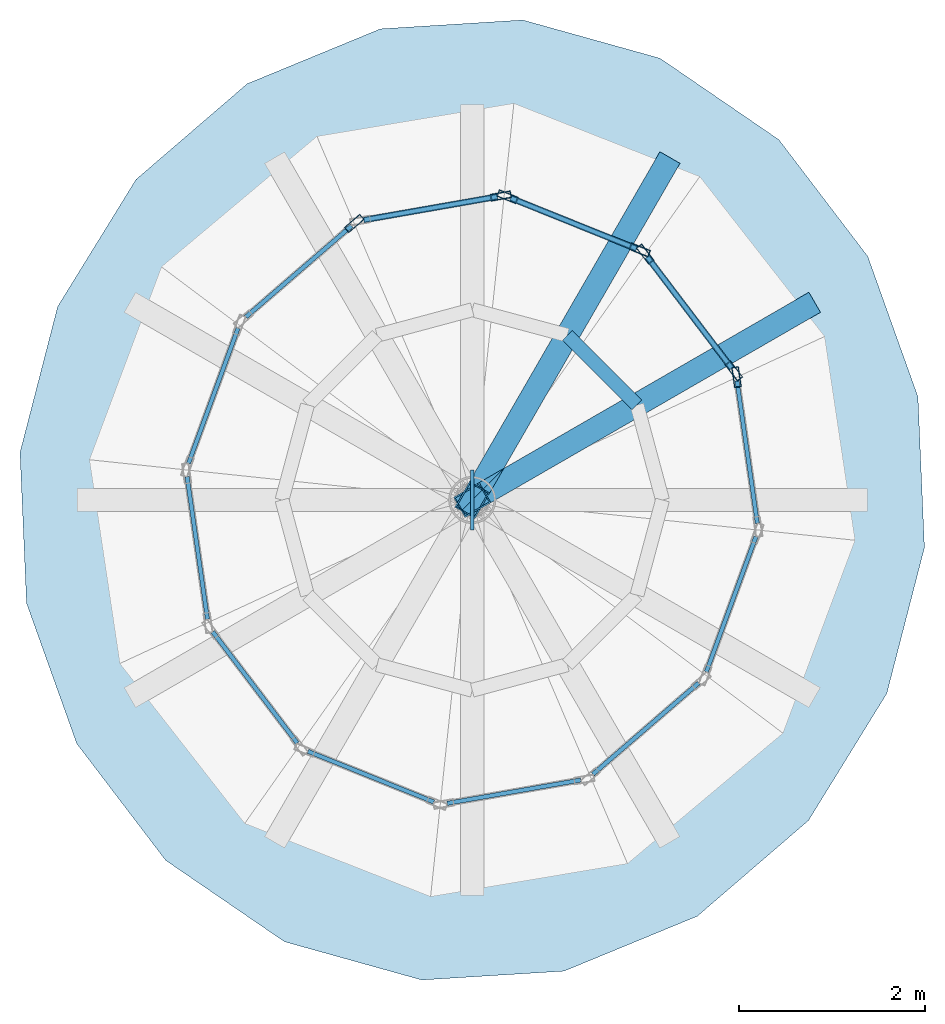
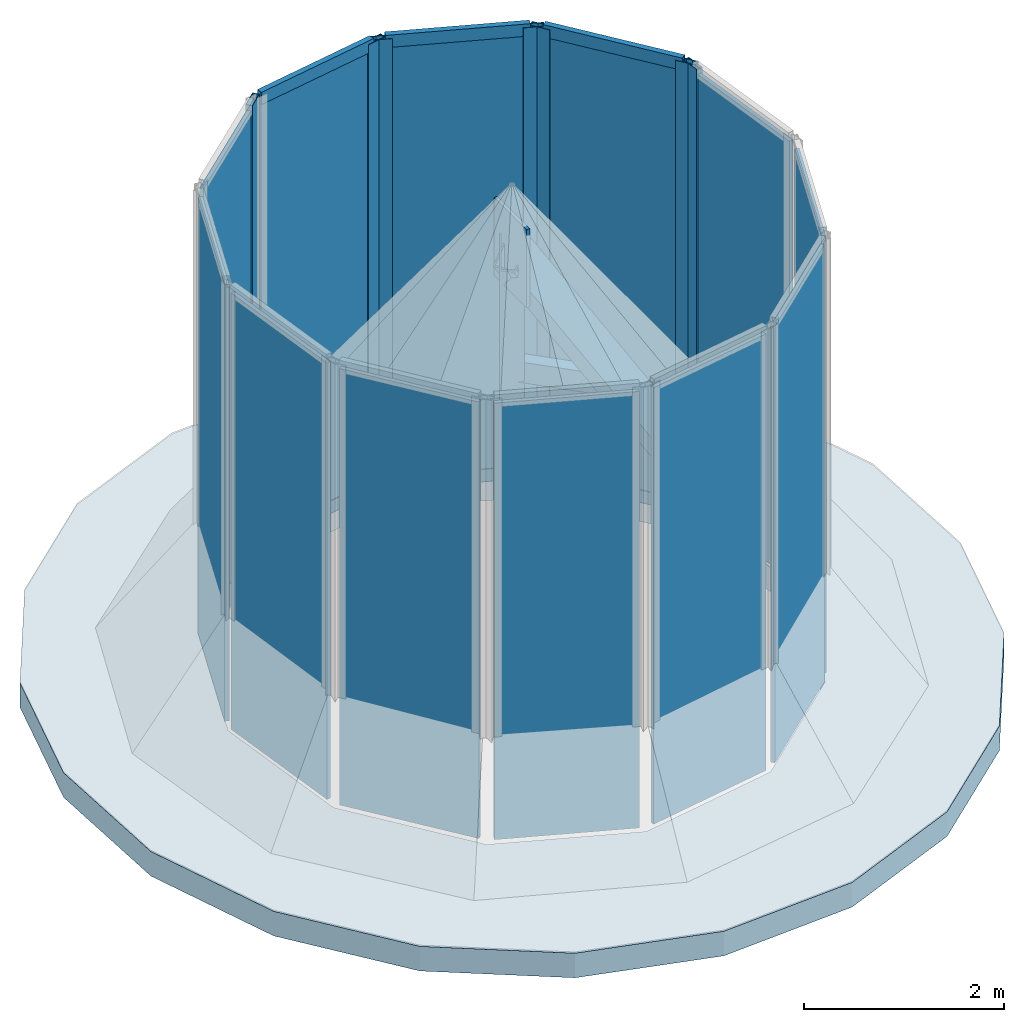
# One storey, part 2 of 3: 16 members, 13 plates, 1 slab, 12 elements without a shape of their own.
"""IFC4 building model written with IfcOpenShell, lengths in metres."""

from ifc_helpers import new_model, si_unit, direction, frame, origin, origin_2d, place, context, subcontext, project, spatial, polyline, rectangle, hollow_rectangle, outline, extrude, source, transform, mapped, material, layer, layer_set, material_profile, profile_set, type_object, element, aggregate, save


model = new_model("IFC4")

# Units and contexts
model_context = context("Model", 3, precision=1e-05, world=origin(), true_north=direction((0.0, 1.0)))
body_context = subcontext(model_context, "Body", "Model", "MODEL_VIEW")
ifc_project = project(units=[si_unit("LENGTHUNIT", "METRE"), si_unit("AREAUNIT", "SQUARE_METRE"), si_unit("VOLUMEUNIT", "CUBIC_METRE"), si_unit("PLANEANGLEUNIT", "RADIAN"), si_unit("MASSUNIT", "GRAM", prefix="KILO")], contexts=[model_context])

# Site, building, storey
site_placement = place(None, origin())
site = spatial("IfcSite", under=ifc_project, at=site_placement, CompositionType="ELEMENT")
building_placement = place(site_placement, origin())
building = spatial("IfcBuilding", under=site, at=building_placement, Name="Solvirekh Grand Hotel", CompositionType="ELEMENT")
storey_placement = place(building_placement, frame((0.0, 0.0, 340.199951171875)))
storey = spatial("IfcBuildingStorey", under=building, at=storey_placement, Name="RF", CompositionType="ELEMENT", Elevation=340.199951171875)

# Members
ifc_material_1 = material(Name="Steel S355", Category="steel")
ifc_material_profile_1 = material_profile(ifc_material_1, hollow_rectangle(XDim=0.14990234375, YDim=0.25, WallThickness=0.010009765625, at=origin_2d()), Name="RHS 250X150X10")
ifc_profile_set_1 = profile_set([ifc_material_profile_1], Name="Steel S355")
member_type_1 = type_object("IfcMemberType", Name="Purlin_Crown_RHS250", PredefinedType="PURLIN", material=ifc_profile_set_1)
member_1_placement = place(storey_placement, frame((1.77490234375, 1.02490234375, 2.1201171875), z_axis=(-0.707106781187, 0.707106781187, 0.0), x_axis=(-0.707106781187, -0.707106781187, 0.0)))
element("IfcMember", 1, at=member_1_placement, inside=storey, type_object=member_type_1, Name="Crown pointed lantern purlin 2", PredefinedType="PURLIN", context=body_context, shape_type="SweptSolid", body=[
    extrude(hollow_rectangle(XDim=0.14990234375, YDim=0.25, WallThickness=0.010009765625, at=origin_2d()), origin(), (0.0, 0.0, 1.0), 1.060546875),
])
ifc_material_profile_2 = material_profile(ifc_material_1, hollow_rectangle(XDim=0.25, YDim=0.39990234375, WallThickness=0.01611328125, at=origin_2d()), Name="RHS 400X250X16")
ifc_profile_set_2 = profile_set([ifc_material_profile_2], Name="Steel S355")
member_type_2 = type_object("IfcMemberType", Name="Rafter_Crown_RHS400", PredefinedType="RAFTER", material=ifc_profile_set_2)
for number, where, z_axis, x_axis, name in (
    (2, (3.551025390625, 2.050048828125, -0.550048828125), (-0.517626337987, -0.298831788248, 0.801724726171), (0.499975007054, -0.866039832988, 0.0), "Crown pointed finial rafter 2"),
    (3, (2.050048828125, 3.551025390625, -0.550048828125), (-0.298831788248, -0.517626337987, 0.801724726171), (0.866039832988, -0.499975007054, 0.0), "Crown pointed finial rafter 3"),
):
    element("IfcMember", number, at=place(storey_placement, frame(where, z_axis=z_axis, x_axis=x_axis)), inside=storey, type_object=member_type_2, Name=name, PredefinedType="RAFTER", context=body_context, shape_type="SweptSolid", body=[
        extrude(hollow_rectangle(XDim=0.25, YDim=0.39990234375, WallThickness=0.01611328125, at=origin_2d()), origin(), (0.0, 0.0, 1.0), 6.860107421875),
    ])

# Curtain wall, member
ifc_material_2 = material(Name="Anodized Bronze Aluminium 6063-T6", Category="aluminium")
ifc_layer_1 = layer(ifc_material_2, 0.219970703125)
ifc_layer_set_1 = layer_set([ifc_layer_1], Name="Anodized Bronze Aluminium 6063-T6")
curtain_wall_type = type_object("IfcCurtainWallType", Name="CW_Sys6_CrownFacetedPointCW", PredefinedType="NOTDEFINED", material=ifc_layer_set_1)
curtain_wall_1_placement = place(storey_placement, origin())
curtain_wall_1 = element("IfcCurtainWall", 4, at=curtain_wall_1_placement, inside=storey, type_object=curtain_wall_type, Name="RF unitised bronze-glass curtain wall CW-RF-CONE-04", PredefinedType="NOTDEFINED")
ifc_material_profile_3 = material_profile(ifc_material_2, hollow_rectangle(XDim=0.074951171875, YDim=0.219970703125, WallThickness=0.006103515625, at=origin_2d()), Name="ALU RHS 220X75X6")
ifc_profile_set_3 = profile_set([ifc_material_profile_3], Name="Anodized Bronze Aluminium 6063-T6")
member_type_3 = type_object("IfcMemberType", Name="CWMullion_Sys6", PredefinedType="MULLION", material=ifc_profile_set_3)
shared_shape_1 = source(origin(), body_context, "Body", "SweptSolid", [
    extrude(hollow_rectangle(XDim=0.074951171875, YDim=0.219970703125, WallThickness=0.006103515625, at=origin_2d()), origin(), (0.0, 0.0, 1.0), 5.449951171875),
])
member_2_placement = place(storey_placement, frame((2.847412109375, 1.322998046875, 0.0), z_axis=(0.0, 0.0, 1.0), x_axis=(-0.989914192772, -0.141668242552, 0.0)))
member_2 = element("IfcMember", 5, at=member_2_placement, type_object=member_type_3, Name="U06 mullion 2", PredefinedType="MULLION", context=body_context, shape_type="MappedRepresentation", body=[
    mapped(shared_shape_1, transform((0.0, 0.0, 0.0), x_axis=(1.0, 0.0, 0.0), y_axis=(0.0, 1.0, 0.0), z_axis=(0.0, 0.0, 1.0), scale=1.0)),
])

# Curtain wall, members
curtain_wall_2_placement = place(storey_placement, origin())
curtain_wall_2 = element("IfcCurtainWall", 6, at=curtain_wall_2_placement, inside=storey, type_object=curtain_wall_type, Name="RF unitised bronze-glass curtain wall CW-RF-CONE-05", PredefinedType="NOTDEFINED")
member_3_placement = place(storey_placement, frame((2.8193359375, 1.389892578125, 0.0), z_axis=(0.0, 0.0, 1.0), x_axis=(-0.796510893346, -0.604624178132, 0.0)))
member_3 = element("IfcMember", 7, at=member_3_placement, type_object=member_type_3, Name="U06 mullion 1", PredefinedType="MULLION", context=body_context, shape_type="MappedRepresentation", body=[
    mapped(shared_shape_1, transform((0.0, 0.0, 0.0), x_axis=(1.0, 0.0, 0.0), y_axis=(0.0, 1.0, 0.0), z_axis=(0.0, 0.0, 1.0), scale=1.0)),
])
member_4_placement = place(storey_placement, frame((1.86279296875, 2.650146484375, 0.0), z_axis=(0.0, 0.0, 1.0), x_axis=(-0.796510893346, -0.604624178132, 0.0)))
member_4 = element("IfcMember", 8, at=member_4_placement, type_object=member_type_3, Name="U06 mullion 2", PredefinedType="MULLION", context=body_context, shape_type="MappedRepresentation", body=[
    mapped(shared_shape_1, transform((0.0, 0.0, 0.0), x_axis=(1.0, 0.0, 0.0), y_axis=(0.0, 1.0, 0.0), z_axis=(0.0, 0.0, 1.0), scale=1.0)),
])

curtain_wall_3_placement = place(storey_placement, origin())
curtain_wall_3 = element("IfcCurtainWall", 9, at=curtain_wall_3_placement, inside=storey, type_object=curtain_wall_type, Name="RF unitised bronze-glass curtain wall CW-RF-CONE-06", PredefinedType="NOTDEFINED")
member_5_placement = place(storey_placement, frame((1.80517578125, 2.694091796875, 0.0), z_axis=(0.0, 0.0, 1.0), x_axis=(-0.373529278287, -0.927618390429, 0.0)))
member_5 = element("IfcMember", 10, at=member_5_placement, type_object=member_type_3, Name="U06 mullion 1", PredefinedType="MULLION", context=body_context, shape_type="MappedRepresentation", body=[
    mapped(shared_shape_1, transform((0.0, 0.0, 0.0), x_axis=(1.0, 0.0, 0.0), y_axis=(0.0, 1.0, 0.0), z_axis=(0.0, 0.0, 1.0), scale=1.0)),
])
member_6_placement = place(storey_placement, frame((0.3798828125, 3.26806640625, 0.0), z_axis=(0.0, 0.0, 1.0), x_axis=(-0.373529278287, -0.927618390429, 0.0)))
member_6 = element("IfcMember", 11, at=member_6_placement, type_object=member_type_3, Name="U06 mullion 2", PredefinedType="MULLION", context=body_context, shape_type="MappedRepresentation", body=[
    mapped(shared_shape_1, transform((0.0, 0.0, 0.0), x_axis=(1.0, 0.0, 0.0), y_axis=(0.0, 1.0, 0.0), z_axis=(0.0, 0.0, 1.0), scale=1.0)),
])

# Curtain wall, member
curtain_wall_4_placement = place(storey_placement, origin())
curtain_wall_4 = element("IfcCurtainWall", 12, at=curtain_wall_4_placement, inside=storey, type_object=curtain_wall_type, Name="RF unitised bronze-glass curtain wall CW-RF-CONE-07", PredefinedType="NOTDEFINED")
member_7_placement = place(storey_placement, frame((0.30810546875, 3.275634765625, 0.0), z_axis=(0.0, 0.0, 1.0), x_axis=(0.172440517208, -0.985019932806, 0.0)))
member_7 = element("IfcMember", 13, at=member_7_placement, type_object=member_type_3, Name="U06 mullion 1", PredefinedType="MULLION", context=body_context, shape_type="MappedRepresentation", body=[
    mapped(shared_shape_1, transform((0.0, 0.0, 0.0), x_axis=(1.0, 0.0, 0.0), y_axis=(0.0, 1.0, 0.0), z_axis=(0.0, 0.0, 1.0), scale=1.0)),
])

curtain_wall_5_placement = place(storey_placement, origin())
curtain_wall_5 = element("IfcCurtainWall", 14, at=curtain_wall_5_placement, inside=storey, type_object=curtain_wall_type, Name="RF unitised bronze-glass curtain wall CW-RF-CONE-08", PredefinedType="NOTDEFINED")
member_8_placement = place(storey_placement, frame((-1.271484375, 2.9794921875, 0.0), z_axis=(0.0, 0.0, 1.0), x_axis=(0.653273976822, -0.757121596051, 0.0)))
member_8 = element("IfcMember", 15, at=member_8_placement, type_object=member_type_3, Name="U06 mullion 1", PredefinedType="MULLION", context=body_context, shape_type="MappedRepresentation", body=[
    mapped(shared_shape_1, transform((0.0, 0.0, 0.0), x_axis=(1.0, 0.0, 0.0), y_axis=(0.0, 1.0, 0.0), z_axis=(0.0, 0.0, 1.0), scale=1.0)),
])

# Member
ifc_material_profile_4 = material_profile(ifc_material_2, hollow_rectangle(XDim=0.06494140625, YDim=0.14990234375, WallThickness=0.0048828125, at=origin_2d()), Name="ALU RHS 150X65X5")
ifc_profile_set_4 = profile_set([ifc_material_profile_4], Name="Anodized Bronze Aluminium 6063-T6")
member_type_4 = type_object("IfcMemberType", Name="CWTransom_Sys6", PredefinedType="USERDEFINED", material=ifc_profile_set_4)
shared_shape_2 = source(origin(), body_context, "Body", "SweptSolid", [
    extrude(hollow_rectangle(XDim=0.06494140625, YDim=0.14990234375, WallThickness=0.0048828125, at=origin_2d()), origin(), (0.0, 0.0, 1.0), 1.46240234375),
])
member_9_placement = place(storey_placement, frame((0.271240234375, 3.26904296875, 0.032470703125), z_axis=(-0.985016289618, -0.17246132664, 0.0), x_axis=(0.17246132664, -0.985016289618, 0.0)))
member_9 = element("IfcMember", 16, at=member_9_placement, type_object=member_type_4, Name="U06 transom 1.1", ObjectType="TRANSOM", PredefinedType="USERDEFINED", context=body_context, shape_type="MappedRepresentation", body=[
    mapped(shared_shape_2, transform((0.0, 0.0, 0.0), x_axis=(1.0, 0.0, 0.0), y_axis=(0.0, 1.0, 0.0), z_axis=(0.0, 0.0, 1.0), scale=1.0)),
])

member_10_placement = place(storey_placement, frame((0.271240234375, 3.26904296875, 5.41748046875), z_axis=(-0.985016289618, -0.17246132664, 0.0), x_axis=(0.17246132664, -0.985016289618, 0.0)))
member_10 = element("IfcMember", 17, at=member_10_placement, type_object=member_type_4, Name="U06 transom 1.2", ObjectType="TRANSOM", PredefinedType="USERDEFINED", context=body_context, shape_type="MappedRepresentation", body=[
    mapped(shared_shape_2, transform((0.0, 0.0, 0.0), x_axis=(1.0, 0.0, 0.0), y_axis=(0.0, 1.0, 0.0), z_axis=(0.0, 0.0, 1.0), scale=1.0)),
])

shared_shape_3 = source(origin(), body_context, "Body", "SweptSolid", [
    extrude(hollow_rectangle(XDim=0.06494140625, YDim=0.14990234375, WallThickness=0.0048828125, at=origin_2d()), origin(), (0.0, 0.0, 1.0), 1.50732421875),
])
member_11_placement = place(storey_placement, frame((2.796630859375, 1.419677734375, 0.032470703125), z_axis=(-0.604602693143, 0.796527201949, 0.0), x_axis=(-0.796527201949, -0.604602693143, 0.0)))
member_11 = element("IfcMember", 18, at=member_11_placement, type_object=member_type_4, Name="U06 transom 1.1", ObjectType="TRANSOM", PredefinedType="USERDEFINED", context=body_context, shape_type="MappedRepresentation", body=[
    mapped(shared_shape_3, transform((0.0, 0.0, 0.0), x_axis=(1.0, 0.0, 0.0), y_axis=(0.0, 1.0, 0.0), z_axis=(0.0, 0.0, 1.0), scale=1.0)),
])

member_12_placement = place(storey_placement, frame((2.796630859375, 1.419677734375, 5.41748046875), z_axis=(-0.604602693143, 0.796527201949, 0.0), x_axis=(-0.796527201949, -0.604602693143, 0.0)))
member_12 = element("IfcMember", 19, at=member_12_placement, type_object=member_type_4, Name="U06 transom 1.2", ObjectType="TRANSOM", PredefinedType="USERDEFINED", context=body_context, shape_type="MappedRepresentation", body=[
    mapped(shared_shape_3, transform((0.0, 0.0, 0.0), x_axis=(1.0, 0.0, 0.0), y_axis=(0.0, 1.0, 0.0), z_axis=(0.0, 0.0, 1.0), scale=1.0)),
])

shared_shape_4 = source(origin(), body_context, "Body", "SweptSolid", [
    extrude(hollow_rectangle(XDim=0.06494140625, YDim=0.14990234375, WallThickness=0.0048828125, at=origin_2d()), origin(), (0.0, 0.0, 1.0), 1.461669921875),
])
member_13_placement = place(storey_placement, frame((1.7705078125, 2.7080078125, 0.032470703125), z_axis=(-0.927645020893, 0.373463137688, 0.0), x_axis=(-0.373463137688, -0.927645020893, 0.0)))
member_13 = element("IfcMember", 20, at=member_13_placement, type_object=member_type_4, Name="U06 transom 1.1", ObjectType="TRANSOM", PredefinedType="USERDEFINED", context=body_context, shape_type="MappedRepresentation", body=[
    mapped(shared_shape_4, transform((0.0, 0.0, 0.0), x_axis=(1.0, 0.0, 0.0), y_axis=(0.0, 1.0, 0.0), z_axis=(0.0, 0.0, 1.0), scale=1.0)),
])

member_14_placement = place(storey_placement, frame((1.7705078125, 2.7080078125, 5.41748046875), z_axis=(-0.927645020893, 0.373463137688, 0.0), x_axis=(-0.373463137688, -0.927645020893, 0.0)))
member_14 = element("IfcMember", 21, at=member_14_placement, type_object=member_type_4, Name="U06 transom 1.2", ObjectType="TRANSOM", PredefinedType="USERDEFINED", context=body_context, shape_type="MappedRepresentation", body=[
    mapped(shared_shape_4, transform((0.0, 0.0, 0.0), x_axis=(1.0, 0.0, 0.0), y_axis=(0.0, 1.0, 0.0), z_axis=(0.0, 0.0, 1.0), scale=1.0)),
])

# Plate
ifc_layer_2 = layer(ifc_material_1, 0.0400390625)
ifc_layer_set_2 = layer_set([ifc_layer_2], Name="Steel S355")
plate_type_1 = type_object("IfcPlateType", Name="NodeCapPlate_40", PredefinedType="SHEET", material=ifc_layer_set_2)
plate_1_placement = place(storey_placement, frame((0.0, 0.0, 4.47509765625), z_axis=(0.0, 0.0, 1.0), x_axis=(1.0, 0.0, 0.0)))
element("IfcPlate", 22, at=plate_1_placement, inside=storey, type_object=plate_type_1, Name="RF hollow-section node plate PL-RF-APEX-CAP", PredefinedType="SHEET", context=body_context, shape_type="SweptSolid", body=[
    extrude(rectangle(XDim=0.0400390625, YDim=0.64990234375, at=origin_2d()), origin(), (0.0, 0.0, 1.0), 0.949951171875),
])

# Slab
ifc_material_3 = material(Name="Concrete C50/60", Category="concrete")
ifc_layer_3 = layer(ifc_material_3, 0.300048828125)
ifc_layer_set_3 = layer_set([ifc_layer_3], Name="Concrete C50/60")
slab_type = type_object("IfcSlabType", Name="RoofSlab_Apex_300", PredefinedType="ROOF", material=ifc_layer_set_3)
slab_placement = place(storey_placement, frame((0.0, 0.0, -0.300048828125)))
element("IfcSlab", 23, at=slab_placement, inside=storey, type_object=slab_type, Name="RF crown collar roof slab", PredefinedType="ROOF", context=body_context, shape_type="SweptSolid", body=[
    extrude(outline(polyline([(-0.5439453125, -5.172119140625), (0.989013671875, -5.076904296875), (2.425048828125, -4.485107421875), (3.623046875, -3.4541015625), (4.467041015625, -2.0849609375), (4.873046875, -0.511962890625), (4.802978515625, 1.111083984375), (4.261962890625, 2.625), (3.303955078125, 3.883056640625), (2.02294921875, 4.760009765625), (0.5439453125, 5.172119140625), (-0.989013671875, 5.076904296875), (-2.425048828125, 4.485107421875), (-3.623046875, 3.4541015625), (-4.467041015625, 2.0849609375), (-4.873046875, 0.511962890625), (-4.802978515625, -1.111083984375), (-4.261962890625, -2.625), (-3.303955078125, -3.883056640625), (-2.02294921875, -4.760009765625), (-0.5439453125, -5.172119140625)]), holes=[polyline([(-1.840087890625, -2.679931640625), (-2.842041015625, -1.360107421875), (-3.0830078125, 0.323974609375), (-2.4970703125, 1.922119140625), (-1.242919921875, 3.00390625), (0.344970703125, 3.281982421875), (1.840087890625, 2.679931640625), (2.842041015625, 1.360107421875), (3.0830078125, -0.323974609375), (2.4970703125, -1.922119140625), (1.242919921875, -3.00390625), (-0.344970703125, -3.281982421875), (-1.840087890625, -2.679931640625)])]), origin(), (0.0, 0.0, 1.0), 0.300048828125),
])

# Curtain wall, plate
curtain_wall_6_placement = place(storey_placement, origin())
curtain_wall_6 = element("IfcCurtainWall", 24, at=curtain_wall_6_placement, inside=storey, type_object=curtain_wall_type, Name="RF unitised bronze-glass curtain wall CW-RF-CONE-01", PredefinedType="NOTDEFINED")
ifc_material_4 = material(Name="Champagne Low-Iron Crown Laminated Glass", Category="glass")
ifc_layer_4 = layer(ifc_material_4, 0.0458984375)
ifc_layer_set_4 = layer_set([ifc_layer_4], Name="Champagne Low-Iron Crown Laminated Glass")
plate_type_2 = type_object("IfcPlateType", Name="CWPanel_Crown_46", PredefinedType="CURTAIN_PANEL", material=ifc_layer_set_4)
shared_shape_5 = source(origin(), body_context, "Body", "SweptSolid", [
    extrude(rectangle(XDim=1.462158203125, YDim=0.0458984375, at=origin_2d()), origin(), (0.0, 0.0, 1.0), 5.320068359375),
])
plate_2_placement = place(storey_placement, frame((0.448974609375, -3.14306640625, 0.06494140625), z_axis=(0.0, 0.0, 1.0), x_axis=(0.985019932806, 0.172440517208, 0.0)))
plate_2 = element("IfcPlate", 25, at=plate_2_placement, type_object=plate_type_2, Name="U06 panel 1.1", PredefinedType="CURTAIN_PANEL", context=body_context, shape_type="MappedRepresentation", body=[
    mapped(shared_shape_5, transform((0.0, 0.0, 0.0), x_axis=(1.0, 0.0, 0.0), y_axis=(0.0, 1.0, 0.0), z_axis=(0.0, 0.0, 1.0), scale=1.0)),
])
aggregate(curtain_wall_6, [plate_2])

# Plate
plate_3_placement = place(storey_placement, frame((-0.448974609375, 3.14306640625, 0.06494140625), z_axis=(0.0, 0.0, 1.0), x_axis=(-0.985019932806, -0.172440517208, 0.0)))
plate_3 = element("IfcPlate", 26, at=plate_3_placement, type_object=plate_type_2, Name="U06 panel 1.1", PredefinedType="CURTAIN_PANEL", context=body_context, shape_type="MappedRepresentation", body=[
    mapped(shared_shape_5, transform((0.0, 0.0, 0.0), x_axis=(1.0, 0.0, 0.0), y_axis=(0.0, 1.0, 0.0), z_axis=(0.0, 0.0, 1.0), scale=1.0)),
])

aggregate(curtain_wall_4, [member_7, member_9, member_10, plate_3])

# Curtain wall, plate
curtain_wall_7_placement = place(storey_placement, origin())
curtain_wall_7 = element("IfcCurtainWall", 27, at=curtain_wall_7_placement, inside=storey, type_object=curtain_wall_type, Name="RF unitised bronze-glass curtain wall CW-RF-CONE-02", PredefinedType="NOTDEFINED")
shared_shape_6 = source(origin(), body_context, "Body", "SweptSolid", [
    extrude(rectangle(XDim=1.50634765625, YDim=0.0458984375, at=origin_2d()), origin(), (0.0, 0.0, 1.0), 5.320068359375),
])
plate_4_placement = place(storey_placement, frame((1.8701171875, -2.462890625, 0.06494140625), z_axis=(0.0, 0.0, 1.0), x_axis=(0.757121596051, 0.653273976822, 0.0)))
plate_4 = element("IfcPlate", 28, at=plate_4_placement, type_object=plate_type_2, Name="U06 panel 1.1", PredefinedType="CURTAIN_PANEL", context=body_context, shape_type="MappedRepresentation", body=[
    mapped(shared_shape_6, transform((0.0, 0.0, 0.0), x_axis=(1.0, 0.0, 0.0), y_axis=(0.0, 1.0, 0.0), z_axis=(0.0, 0.0, 1.0), scale=1.0)),
])
aggregate(curtain_wall_7, [plate_4])

# Plate
plate_5_placement = place(storey_placement, frame((-1.8701171875, 2.462890625, 0.06494140625), z_axis=(0.0, 0.0, 1.0), x_axis=(-0.757121596051, -0.653273976822, 0.0)))
plate_5 = element("IfcPlate", 29, at=plate_5_placement, type_object=plate_type_2, Name="U06 panel 1.1", PredefinedType="CURTAIN_PANEL", context=body_context, shape_type="MappedRepresentation", body=[
    mapped(shared_shape_6, transform((0.0, 0.0, 0.0), x_axis=(1.0, 0.0, 0.0), y_axis=(0.0, 1.0, 0.0), z_axis=(0.0, 0.0, 1.0), scale=1.0)),
])

aggregate(curtain_wall_5, [member_8, plate_5])

# Curtain wall, plate
curtain_wall_8_placement = place(storey_placement, origin())
curtain_wall_8 = element("IfcCurtainWall", 30, at=curtain_wall_8_placement, inside=storey, type_object=curtain_wall_type, Name="RF unitised bronze-glass curtain wall CW-RF-CONE-03", PredefinedType="NOTDEFINED")
shared_shape_7 = source(origin(), body_context, "Body", "SweptSolid", [
    extrude(rectangle(XDim=1.552001953125, YDim=0.0458984375, at=origin_2d()), origin(), (0.0, 0.0, 1.0), 5.320068359375),
])
plate_6_placement = place(storey_placement, frame((2.7900390625, -1.123046875, 0.06494140625), z_axis=(0.0, 0.0, 1.0), x_axis=(0.344289175323, 0.938863655573, 0.0)))
plate_6 = element("IfcPlate", 31, at=plate_6_placement, type_object=plate_type_2, Name="U06 panel 1.1", PredefinedType="CURTAIN_PANEL", context=body_context, shape_type="MappedRepresentation", body=[
    mapped(shared_shape_7, transform((0.0, 0.0, 0.0), x_axis=(1.0, 0.0, 0.0), y_axis=(0.0, 1.0, 0.0), z_axis=(0.0, 0.0, 1.0), scale=1.0)),
])
aggregate(curtain_wall_8, [plate_6])

curtain_wall_9_placement = place(storey_placement, origin())
curtain_wall_9 = element("IfcCurtainWall", 32, at=curtain_wall_9_placement, inside=storey, type_object=curtain_wall_type, Name="RF unitised bronze-glass curtain wall CW-RF-CONE-09", PredefinedType="NOTDEFINED")
plate_7_placement = place(storey_placement, frame((-2.7900390625, 1.123046875, 0.06494140625), z_axis=(0.0, 0.0, 1.0), x_axis=(-0.344289175323, -0.938863655573, 0.0)))
plate_7 = element("IfcPlate", 33, at=plate_7_placement, type_object=plate_type_2, Name="U06 panel 1.1", PredefinedType="CURTAIN_PANEL", context=body_context, shape_type="MappedRepresentation", body=[
    mapped(shared_shape_7, transform((0.0, 0.0, 0.0), x_axis=(1.0, 0.0, 0.0), y_axis=(0.0, 1.0, 0.0), z_axis=(0.0, 0.0, 1.0), scale=1.0)),
])
aggregate(curtain_wall_9, [plate_7])

# Plate
shared_shape_8 = source(origin(), body_context, "Body", "SweptSolid", [
    extrude(rectangle(XDim=1.55126953125, YDim=0.0458984375, at=origin_2d()), origin(), (0.0, 0.0, 1.0), 5.320068359375),
])
plate_8_placement = place(storey_placement, frame((2.96240234375, 0.51806640625, 0.06494140625), z_axis=(0.0, 0.0, 1.0), x_axis=(-0.141668242552, 0.989914192772, 0.0)))
plate_8 = element("IfcPlate", 34, at=plate_8_placement, type_object=plate_type_2, Name="U06 panel 1.1", PredefinedType="CURTAIN_PANEL", context=body_context, shape_type="MappedRepresentation", body=[
    mapped(shared_shape_8, transform((0.0, 0.0, 0.0), x_axis=(1.0, 0.0, 0.0), y_axis=(0.0, 1.0, 0.0), z_axis=(0.0, 0.0, 1.0), scale=1.0)),
])

aggregate(curtain_wall_1, [member_2, plate_8])

# Curtain wall, plate
curtain_wall_10_placement = place(storey_placement, origin())
curtain_wall_10 = element("IfcCurtainWall", 35, at=curtain_wall_10_placement, inside=storey, type_object=curtain_wall_type, Name="RF unitised bronze-glass curtain wall CW-RF-CONE-10", PredefinedType="NOTDEFINED")
plate_9_placement = place(storey_placement, frame((-2.96240234375, -0.51806640625, 0.06494140625), z_axis=(0.0, 0.0, 1.0), x_axis=(0.141668242552, -0.989914192772, 0.0)))
plate_9 = element("IfcPlate", 36, at=plate_9_placement, type_object=plate_type_2, Name="U06 panel 1.1", PredefinedType="CURTAIN_PANEL", context=body_context, shape_type="MappedRepresentation", body=[
    mapped(shared_shape_8, transform((0.0, 0.0, 0.0), x_axis=(1.0, 0.0, 0.0), y_axis=(0.0, 1.0, 0.0), z_axis=(0.0, 0.0, 1.0), scale=1.0)),
])
aggregate(curtain_wall_10, [plate_9])

# Plate
shared_shape_9 = source(origin(), body_context, "Body", "SweptSolid", [
    extrude(rectangle(XDim=1.50732421875, YDim=0.0458984375, at=origin_2d()), origin(), (0.0, 0.0, 1.0), 5.320068359375),
])
plate_10_placement = place(storey_placement, frame((2.341064453125, 2.02001953125, 0.06494140625), z_axis=(0.0, 0.0, 1.0), x_axis=(-0.604624178132, 0.796510893346, 0.0)))
plate_10 = element("IfcPlate", 37, at=plate_10_placement, type_object=plate_type_2, Name="U06 panel 1.1", PredefinedType="CURTAIN_PANEL", context=body_context, shape_type="MappedRepresentation", body=[
    mapped(shared_shape_9, transform((0.0, 0.0, 0.0), x_axis=(1.0, 0.0, 0.0), y_axis=(0.0, 1.0, 0.0), z_axis=(0.0, 0.0, 1.0), scale=1.0)),
])

aggregate(curtain_wall_2, [member_3, member_4, member_11, member_12, plate_10])

# Curtain wall, plate
curtain_wall_11_placement = place(storey_placement, origin())
curtain_wall_11 = element("IfcCurtainWall", 38, at=curtain_wall_11_placement, inside=storey, type_object=curtain_wall_type, Name="RF unitised bronze-glass curtain wall CW-RF-CONE-11", PredefinedType="NOTDEFINED")
plate_11_placement = place(storey_placement, frame((-2.341064453125, -2.02001953125, 0.06494140625), z_axis=(0.0, 0.0, 1.0), x_axis=(0.604624178132, -0.796510893346, 0.0)))
plate_11 = element("IfcPlate", 39, at=plate_11_placement, type_object=plate_type_2, Name="U06 panel 1.1", PredefinedType="CURTAIN_PANEL", context=body_context, shape_type="MappedRepresentation", body=[
    mapped(shared_shape_9, transform((0.0, 0.0, 0.0), x_axis=(1.0, 0.0, 0.0), y_axis=(0.0, 1.0, 0.0), z_axis=(0.0, 0.0, 1.0), scale=1.0)),
])
aggregate(curtain_wall_11, [plate_11])

# Plate
shared_shape_10 = source(origin(), body_context, "Body", "SweptSolid", [
    extrude(rectangle(XDim=1.461669921875, YDim=0.0458984375, at=origin_2d()), origin(), (0.0, 0.0, 1.0), 5.320068359375),
])
plate_12_placement = place(storey_placement, frame((1.092529296875, 2.98095703125, 0.06494140625), z_axis=(0.0, 0.0, 1.0), x_axis=(-0.927618390429, 0.373529278287, 0.0)))
plate_12 = element("IfcPlate", 40, at=plate_12_placement, type_object=plate_type_2, Name="U06 panel 1.1", PredefinedType="CURTAIN_PANEL", context=body_context, shape_type="MappedRepresentation", body=[
    mapped(shared_shape_10, transform((0.0, 0.0, 0.0), x_axis=(1.0, 0.0, 0.0), y_axis=(0.0, 1.0, 0.0), z_axis=(0.0, 0.0, 1.0), scale=1.0)),
])

aggregate(curtain_wall_3, [member_5, member_6, member_13, member_14, plate_12])

# Curtain wall, plate
curtain_wall_12_placement = place(storey_placement, origin())
curtain_wall_12 = element("IfcCurtainWall", 41, at=curtain_wall_12_placement, inside=storey, type_object=curtain_wall_type, Name="RF unitised bronze-glass curtain wall CW-RF-CONE-12", PredefinedType="NOTDEFINED")
plate_13_placement = place(storey_placement, frame((-1.092529296875, -2.98095703125, 0.06494140625), z_axis=(0.0, 0.0, 1.0), x_axis=(0.927618390429, -0.373529278287, 0.0)))
plate_13 = element("IfcPlate", 42, at=plate_13_placement, type_object=plate_type_2, Name="U06 panel 1.1", PredefinedType="CURTAIN_PANEL", context=body_context, shape_type="MappedRepresentation", body=[
    mapped(shared_shape_10, transform((0.0, 0.0, 0.0), x_axis=(1.0, 0.0, 0.0), y_axis=(0.0, 1.0, 0.0), z_axis=(0.0, 0.0, 1.0), scale=1.0)),
])
aggregate(curtain_wall_12, [plate_13])

save(model, "model.ifc")
